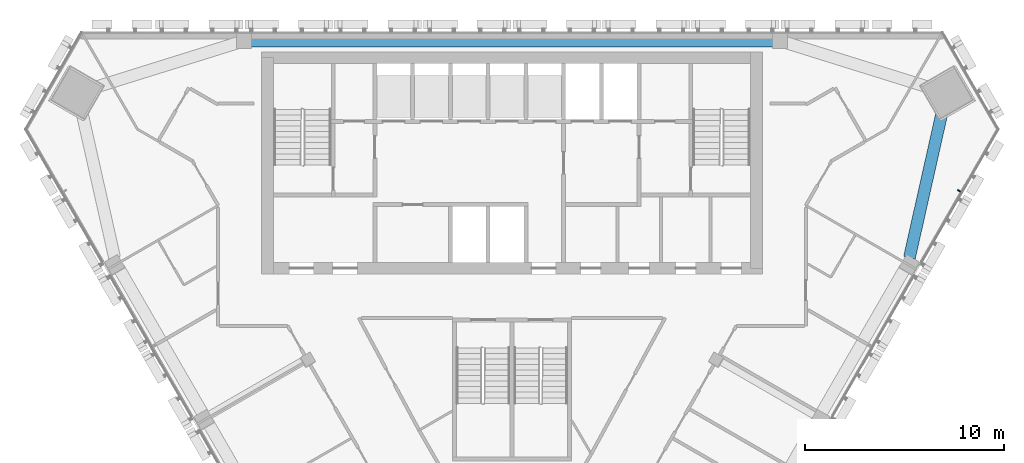
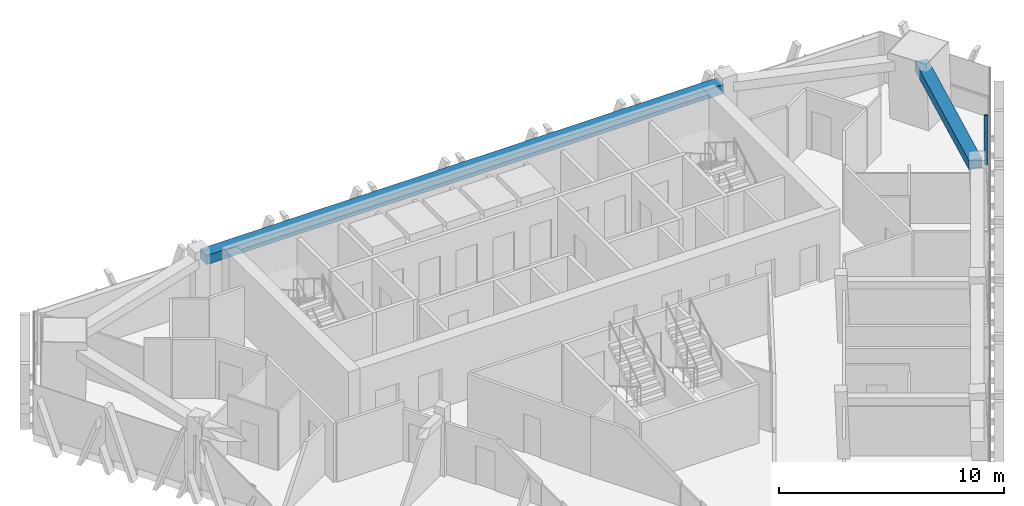
# One storey, part 6 of 14: 2 beams, 1 member, 1 element without a shape of its own.
"""IFC4 building model written with IfcOpenShell, lengths in metres."""

from ifc_helpers import new_model, si_unit, direction, frame, origin, origin_2d, place, context, subcontext, project, spatial, rectangle, extrude, material, layer, layer_set, material_profile, profile_set, type_object, element, aggregate, save


model = new_model("IFC4")

# Units and contexts
model_context = context("Model", 3, precision=1e-05, world=origin(), true_north=direction((0.0, 1.0)))
body_context = subcontext(model_context, "Body", "Model", "MODEL_VIEW")
ifc_project = project(units=[si_unit("LENGTHUNIT", "METRE"), si_unit("AREAUNIT", "SQUARE_METRE"), si_unit("VOLUMEUNIT", "CUBIC_METRE"), si_unit("PLANEANGLEUNIT", "RADIAN"), si_unit("MASSUNIT", "GRAM", prefix="KILO")], contexts=[model_context])

# Site, building, storey
site_placement = place(None, origin())
site = spatial("IfcSite", under=ifc_project, at=site_placement, CompositionType="ELEMENT")
building_placement = place(site_placement, origin())
building = spatial("IfcBuilding", under=site, at=building_placement, Name="Altiplano Prism Tower", CompositionType="ELEMENT")
storey_placement = place(building_placement, frame((0.0, 0.0, 230.199951171875)))
storey = spatial("IfcBuildingStorey", under=building, at=storey_placement, Name="L59", CompositionType="ELEMENT", Elevation=230.199951171875)

# Curtain wall, member
ifc_material_1 = material(Name="Aluminium and glass", Category="aluminium")
ifc_layer = layer(ifc_material_1, 0.280029296875)
ifc_layer_set = layer_set([ifc_layer], Name="Aluminium and glass")
curtain_wall_type = type_object("IfcCurtainWallType", Name="CW1 typical co-living unitised curtain wall", PredefinedType="NOTDEFINED", material=ifc_layer_set)
curtain_wall_placement = place(storey_placement, origin())
curtain_wall = element("IfcCurtainWall", 1, at=curtain_wall_placement, inside=storey, type_object=curtain_wall_type, Name="CW1 curtain wall south-east face L59", PredefinedType="NOTDEFINED")
ifc_material_2 = material(Name="Aluminium", Category="aluminium")
ifc_material_profile_1 = material_profile(ifc_material_2, rectangle(XDim=0.179931640625, YDim=0.06494140625, at=origin_2d()), Name="CW1 mullion 65 x 180")
ifc_profile_set_1 = profile_set([ifc_material_profile_1], Name="Aluminium")
member_type = type_object("IfcMemberType", Name="CW1 mullion 65 x 180", PredefinedType="MULLION", material=ifc_profile_set_1)
member_placement = place(storey_placement, frame((107.507080078125, 97.003662109375, 0.0), z_axis=(0.0, 0.0, 1.0), x_axis=(-0.866025400599, 0.500000005517, 0.0)))
member = element("IfcMember", 2, at=member_placement, type_object=member_type, Name="CW1 mullion", PredefinedType="MULLION", context=body_context, shape_type="SweptSolid", body=[
    extrude(rectangle(XDim=0.179931640625, YDim=0.06494140625, at=origin_2d()), origin(), (0.0, 0.0, 1.0), 2.699951171875),
])
aggregate(curtain_wall, [member])

# Beams
ifc_material_3 = material(Name="Concrete C60/75", Category="concrete")
ifc_material_profile_2 = material_profile(ifc_material_3, rectangle(XDim=0.60009765625, YDim=0.5, at=origin_2d()), Name="Edge beam 600x500")
ifc_profile_set_2 = profile_set([ifc_material_profile_2], Name="Concrete C60/75")
beam_type = type_object("IfcBeamType", Name="Edge beam 600x500", PredefinedType="SPANDREL", material=ifc_profile_set_2)
beam_1_placement = place(storey_placement, frame((105.01171875, 93.641357421875, 2.949951171875), z_axis=(0.219043056558, 0.97571519378, 0.0), x_axis=(-0.97571519378, 0.219043056558, 0.0)))
element("IfcBeam", 3, at=beam_1_placement, inside=storey, type_object=beam_type, Name="Edge beam P24-M2 L60", PredefinedType="SPANDREL", context=body_context, shape_type="SweptSolid", body=[
    extrude(rectangle(XDim=0.60009765625, YDim=0.5, at=origin_2d()), origin(), (0.0, 0.0, 1.0), 8.049560546875),
])
beam_2_placement = place(storey_placement, frame((98.2451171875, 104.550048828125, 2.949951171875), z_axis=(-1.0, 0.0, 0.0), x_axis=(0.0, -1.0, 0.0)))
element("IfcBeam", 4, at=beam_2_placement, inside=storey, type_object=beam_type, Name="Edge beam P01-P04 L60", PredefinedType="SPANDREL", context=body_context, shape_type="SweptSolid", body=[
    extrude(rectangle(XDim=0.60009765625, YDim=0.5, at=origin_2d()), origin(), (0.0, 0.0, 1.0), 26.490234375),
])

save(model, "model.ifc")
